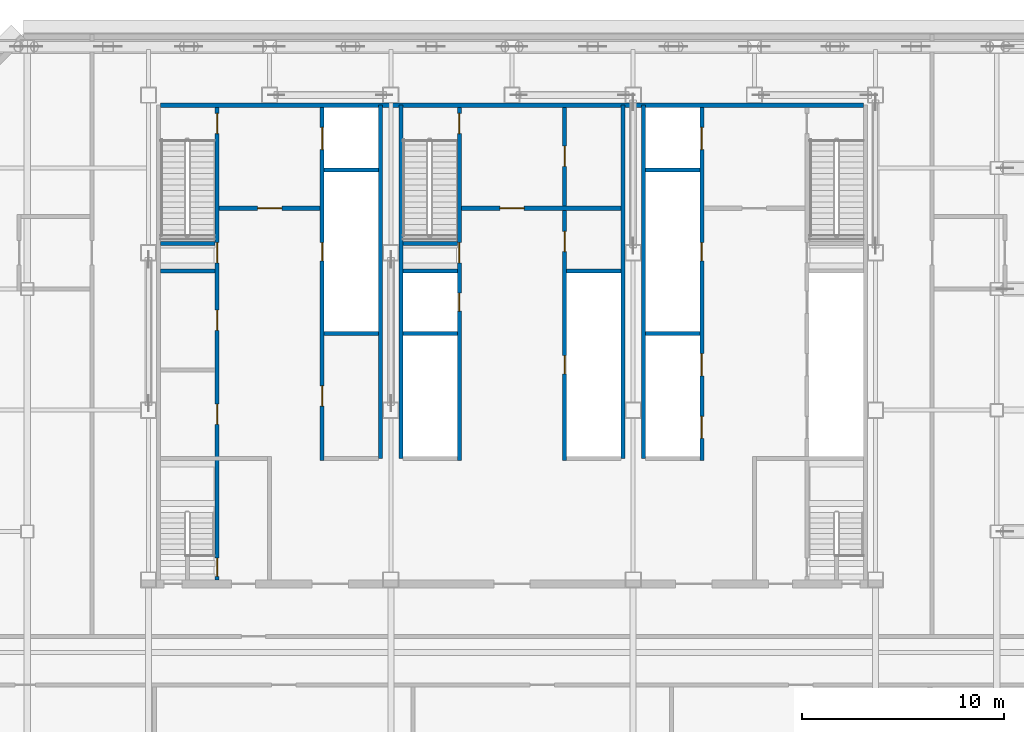
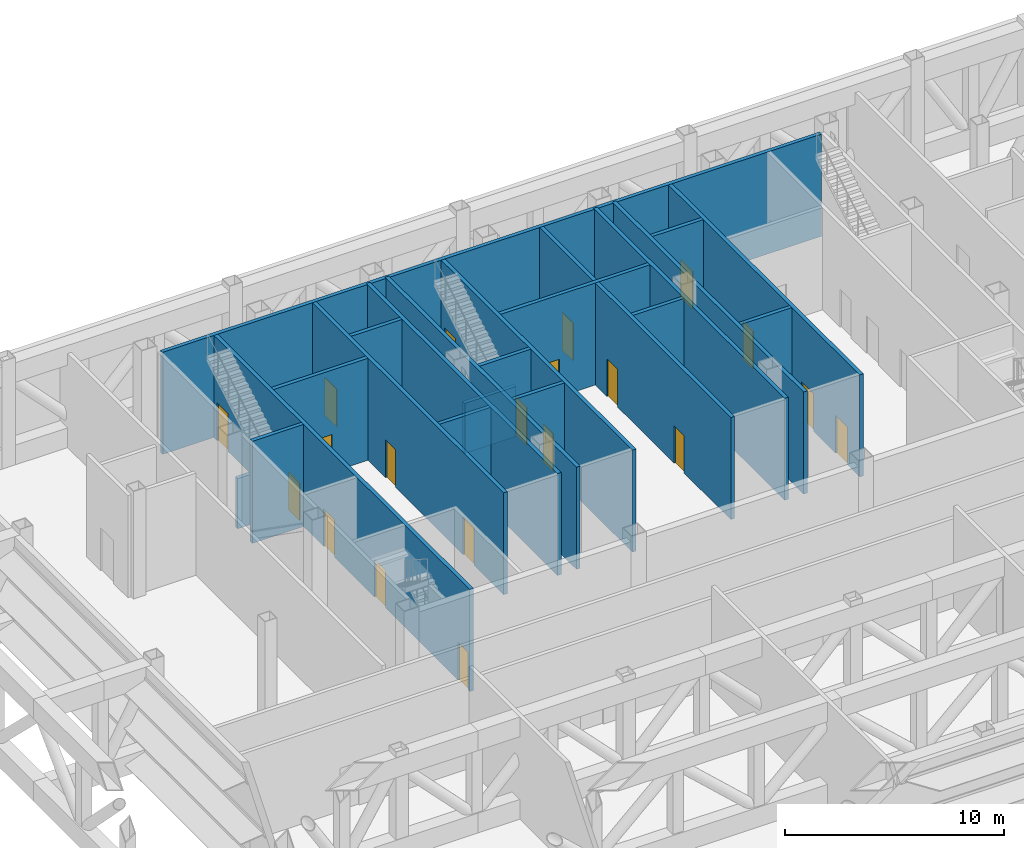
# One storey, part 7 of 17: 22 walls, 20 doors, 20 openings.
"""IFC4 building model written with IfcOpenShell, lengths in metres."""

from ifc_helpers import new_model, si_unit, direction, frame, frame_2d, origin, place, context, subcontext, project, spatial, rectangle, extrude, material, layer, layer_set, type_object, element, fill, save


model = new_model("IFC4")

# Units and contexts
model_context = context("Model", 3, precision=1e-05, world=origin(), true_north=direction((0.0, 1.0)))
body_context = subcontext(model_context, "Body", "Model", "MODEL_VIEW")
ifc_project = project(units=[si_unit("LENGTHUNIT", "METRE"), si_unit("AREAUNIT", "SQUARE_METRE"), si_unit("VOLUMEUNIT", "CUBIC_METRE"), si_unit("PLANEANGLEUNIT", "RADIAN"), si_unit("MASSUNIT", "GRAM", prefix="KILO")], contexts=[model_context])

# Site, building, storey
site_placement = place(None, origin())
site = spatial("IfcSite", under=ifc_project, at=site_placement, CompositionType="ELEMENT")
building_placement = place(site_placement, origin())
building = spatial("IfcBuilding", under=site, at=building_placement, Name="Sorahane Residences", CompositionType="ELEMENT")
storey_placement = place(building_placement, frame((0.0, 0.0, 186.0)))
storey = spatial("IfcBuildingStorey", under=building, at=storey_placement, Name="L43", CompositionType="ELEMENT", Elevation=186.0)

# Walls
ifc_material_1 = material(Name="Concrete C30", Category="concrete")
ifc_layer_1 = layer(ifc_material_1, 0.199951171875)
ifc_layer_set_1 = layer_set([ifc_layer_1], Name="Core face wall 200 EI 180")
wall_type_1 = type_object("IfcWallType", Name="Core face wall 200 EI 180", PredefinedType="SOLIDWALL", material=ifc_layer_set_1)
wall_1_placement = place(storey_placement, frame((6.60009765625, 45.10009765625, 0.0), z_axis=(0.0, 0.0, 1.0), x_axis=(1.0, 0.0, 0.0)))
element("IfcWall", 1, at=wall_1_placement, inside=storey, type_object=wall_type_1, Name="L43 core face wall", PredefinedType="SOLIDWALL", context=body_context, shape_type="SweptSolid", body=[
    extrude(rectangle(XDim=34.7998046875, YDim=0.199951171875, at=frame_2d((17.39990234375, 0.0))), origin(), (0.0, 0.0, 1.0), 5.699951171875),
])
for number, where, z_axis, x_axis, name in (
    (2, (17.5, 27.60009765625, 0.0), (0.0, 0.0, 1.0), (0.0, 1.0, 0.0), "L43 core face wall"),
    (3, (18.5, 27.60009765625, 0.0), (0.0, 0.0, 1.0), (0.0, 1.0, 0.0), "L43 core face wall"),
    (4, (29.5, 27.60009765625, 0.0), (0.0, 0.0, 1.0), (0.0, 1.0, 0.0), "L43 core face wall"),
    (5, (30.5, 27.60009765625, 0.0), (0.0, 0.0, 1.0), (0.0, 1.0, 0.0), "L43 core face wall"),
):
    element("IfcWall", number, at=place(storey_placement, frame(where, z_axis=z_axis, x_axis=x_axis)), inside=storey, type_object=wall_type_1, Name=name, PredefinedType="SOLIDWALL", context=body_context, shape_type="SweptSolid", body=[
        extrude(rectangle(XDim=17.5, YDim=0.199951171875, at=frame_2d((8.75, 0.0))), origin(), (0.0, 0.0, 1.0), 5.699951171875),
    ])

# Wall, opening, door
ifc_material_2 = material(Name="Concrete C30", Category="concrete")
ifc_layer_2 = layer(ifc_material_2, 0.199951171875)
ifc_layer_set_2 = layer_set([ifc_layer_2], Name="Front room wall 200 EI 120")
wall_type_2 = type_object("IfcWallType", Name="Front room wall 200 EI 120", PredefinedType="PARTITIONING", material=ifc_layer_set_2)
wall_2_placement = place(storey_placement, frame((21.5, 40.0, 0.0), z_axis=(0.0, 0.0, 1.0), x_axis=(1.0, 0.0, 0.0)))
wall_2 = element("IfcWall", 6, at=wall_2_placement, inside=storey, type_object=wall_type_2, Name="L43 front room wall", PredefinedType="PARTITIONING", context=body_context, shape_type="SweptSolid", body=[
    extrude(rectangle(XDim=7.89990234375, YDim=0.199951171875, at=frame_2d((3.949951171875, 0.0))), origin(), (0.0, 0.0, 1.0), 5.699951171875),
])
opening_1_placement = place(wall_2_placement, frame((1.89990234375, 0.0, 0.0)))
opening_1 = element("IfcOpeningElement", 7, at=opening_1_placement, cuts=wall_2, Name="Opening L43-C07", PredefinedType="OPENING", context=body_context, shape_type="SweptSolid", body=[
    extrude(rectangle(XDim=1.199951171875, YDim=2.10009765625, at=frame_2d((0.60009765625, 1.050048828125))), frame((0.0, 0.10986328125, 0.0), z_axis=(0.0, -1.0, 0.0), x_axis=(1.0, 0.0, 0.0)), (0.0, 0.0, 1.0), 0.219970703125),
])
ifc_material_3 = material(Name="Steel", Category="steel")
door_type_1 = type_object("IfcDoorType", Name="Front room door 1200x2100 FD120", OperationType="NOTDEFINED", PredefinedType="DOOR", material=ifc_material_3)
door_1_placement = place(opening_1_placement, frame((1.199951171875, 0.0, 0.0), z_axis=(0.0, 0.0, 1.0), x_axis=(-1.0, 0.0, 0.0)))
door_1 = element("IfcDoor", 8, at=door_1_placement, inside=storey, type_object=door_type_1, Name="Front room door Stair S3 vestibule L43", OperationType="DOUBLE_DOOR_SINGLE_SWING", OverallHeight=2.10009765625, OverallWidth=1.199951171875, PredefinedType="DOOR", context=body_context, shape_type="SweptSolid", body=[
    extrude(rectangle(XDim=1.199951171875, YDim=2.10009765625, at=frame_2d((0.60009765625, 1.050048828125))), frame((0.0, 0.02490234375, 0.0), z_axis=(0.0, -1.0, 0.0), x_axis=(1.0, 0.0, 0.0)), (0.0, 0.0, 1.0), 0.050048828125),
])
fill(opening_1, door_1)

wall_3_placement = place(storey_placement, frame((9.5, 40.0, 0.0), z_axis=(0.0, 0.0, 1.0), x_axis=(1.0, 0.0, 0.0)))
wall_3 = element("IfcWall", 9, at=wall_3_placement, inside=storey, type_object=wall_type_2, Name="L43 front room wall", PredefinedType="PARTITIONING", context=body_context, shape_type="SweptSolid", body=[
    extrude(rectangle(XDim=5.0, YDim=0.199951171875, at=frame_2d((2.5, 0.0))), origin(), (0.0, 0.0, 1.0), 5.699951171875),
])
opening_2_placement = place(wall_3_placement, frame((1.89990234375, 0.0, 0.0)))
opening_2 = element("IfcOpeningElement", 10, at=opening_2_placement, cuts=wall_3, Name="Opening L43-C06", PredefinedType="OPENING", context=body_context, shape_type="SweptSolid", body=[
    extrude(rectangle(XDim=1.199951171875, YDim=2.10009765625, at=frame_2d((0.60009765625, 1.050048828125))), frame((0.0, 0.10986328125, 0.0), z_axis=(0.0, -1.0, 0.0), x_axis=(1.0, 0.0, 0.0)), (0.0, 0.0, 1.0), 0.219970703125),
])
door_2_placement = place(opening_2_placement, frame((1.199951171875, 0.0, 0.0), z_axis=(0.0, 0.0, 1.0), x_axis=(-1.0, 0.0, 0.0)))
door_2 = element("IfcDoor", 11, at=door_2_placement, inside=storey, type_object=door_type_1, Name="Front room door Firefighting lobby FF1 front room L43", OperationType="DOUBLE_DOOR_SINGLE_SWING", OverallHeight=2.10009765625, OverallWidth=1.199951171875, PredefinedType="DOOR", context=body_context, shape_type="SweptSolid", body=[
    extrude(rectangle(XDim=1.199951171875, YDim=2.10009765625, at=frame_2d((0.60009765625, 1.050048828125))), frame((0.0, 0.02490234375, 0.0), z_axis=(0.0, -1.0, 0.0), x_axis=(1.0, 0.0, 0.0)), (0.0, 0.0, 1.0), 0.050048828125),
])
fill(opening_2, door_2)

# Wall, openings, doors
ifc_material_4 = material(Name="Concrete C30", Category="concrete")
ifc_layer_3 = layer(ifc_material_4, 0.199951171875)
ifc_layer_set_3 = layer_set([ifc_layer_3], Name="Lift shaft wall 200 EI 120")
wall_type_3 = type_object("IfcWallType", Name="Lift shaft wall 200 EI 120", PredefinedType="SOLIDWALL", material=ifc_layer_set_3)
wall_4_placement = place(storey_placement, frame((14.60009765625, 27.5, 0.0), z_axis=(0.0, 0.0, 1.0), x_axis=(0.0, 1.0, 0.0)))
wall_4 = element("IfcWall", 12, at=wall_4_placement, inside=storey, type_object=wall_type_3, Name="L43 lift shaft wall", PredefinedType="SOLIDWALL", context=body_context, shape_type="SweptSolid", body=[
    extrude(rectangle(XDim=17.5, YDim=0.199951171875, at=frame_2d((8.75, 0.0))), origin(), (0.0, 0.0, 1.0), 5.699951171875),
])
opening_3_placement = place(wall_4_placement, frame((15.39990234375, 0.0, 0.0)))
opening_3 = element("IfcOpeningElement", 13, at=opening_3_placement, cuts=wall_4, Name="Opening L43-C15", PredefinedType="OPENING", context=body_context, shape_type="SweptSolid", body=[
    extrude(rectangle(XDim=1.10009765625, YDim=2.10009765625, at=frame_2d((0.550048828125, 1.050048828125))), frame((0.0, 0.10986328125, 0.0), z_axis=(0.0, -1.0, 0.0), x_axis=(1.0, 0.0, 0.0)), (0.0, 0.0, 1.0), 0.219970703125),
])
opening_4_placement = place(wall_4_placement, frame((2.699951171875, 0.0, 0.0)))
opening_4 = element("IfcOpeningElement", 14, at=opening_4_placement, cuts=wall_4, Name="Opening L43-C16", PredefinedType="OPENING", context=body_context, shape_type="SweptSolid", body=[
    extrude(rectangle(XDim=1.0, YDim=2.10009765625, at=frame_2d((0.5, 1.050048828125))), frame((0.0, 0.10986328125, 0.0), z_axis=(0.0, -1.0, 0.0), x_axis=(1.0, 0.0, 0.0)), (0.0, 0.0, 1.0), 0.219970703125),
])
opening_5_placement = place(wall_4_placement, frame((9.89990234375, 0.0, 0.0)))
opening_5 = element("IfcOpeningElement", 15, at=opening_5_placement, cuts=wall_4, Name="Opening L43-C29", PredefinedType="OPENING", context=body_context, shape_type="SweptSolid", body=[
    extrude(rectangle(XDim=0.89990234375, YDim=2.10009765625, at=frame_2d((0.449951171875, 1.050048828125))), frame((0.0, 0.10986328125, 0.0), z_axis=(0.0, -1.0, 0.0), x_axis=(1.0, 0.0, 0.0)), (0.0, 0.0, 1.0), 0.219970703125),
])
ifc_material_5 = material(Name="Aluminium and stainless steel", Category="steel")
door_type_2 = type_object("IfcDoorType", Name="Lift landing door 1100x2100 E 60", OperationType="NOTDEFINED", PredefinedType="DOOR", material=ifc_material_5)
door_3_placement = place(opening_3_placement, origin())
door_3 = element("IfcDoor", 16, at=door_3_placement, inside=storey, type_object=door_type_2, Name="Lift landing door FF1 L43", OperationType="DOUBLE_DOOR_SLIDING", OverallHeight=2.10009765625, OverallWidth=1.10009765625, PredefinedType="DOOR", context=body_context, shape_type="SweptSolid", body=[
    extrude(rectangle(XDim=1.10009765625, YDim=2.10009765625, at=frame_2d((0.550048828125, 1.050048828125))), frame((0.0, 0.02490234375, 0.0), z_axis=(0.0, -1.0, 0.0), x_axis=(1.0, 0.0, 0.0)), (0.0, 0.0, 1.0), 0.050048828125),
])
fill(opening_3, door_3)
ifc_material_6 = material(Name="Steel", Category="steel")
door_type_3 = type_object("IfcDoorType", Name="Riser door 900x2100 FD120", OperationType="NOTDEFINED", PredefinedType="DOOR", material=ifc_material_6)
door_4_placement = place(opening_5_placement, origin())
door_4 = element("IfcDoor", 17, at=door_4_placement, inside=storey, type_object=door_type_3, Name="Riser door R1 L43", OperationType="SINGLE_SWING_LEFT", OverallHeight=2.10009765625, OverallWidth=0.89990234375, PredefinedType="DOOR", context=body_context, shape_type="SweptSolid", body=[
    extrude(rectangle(XDim=0.89990234375, YDim=2.10009765625, at=frame_2d((0.449951171875, 1.050048828125))), frame((0.0, 0.02490234375, 0.0), z_axis=(0.0, -1.0, 0.0), x_axis=(1.0, 0.0, 0.0)), (0.0, 0.0, 1.0), 0.050048828125),
])
fill(opening_5, door_4)
ifc_material_7 = material(Name="Steel", Category="steel")
door_type_4 = type_object("IfcDoorType", Name="Service room door 1000x2100 FD60", OperationType="NOTDEFINED", PredefinedType="DOOR", material=ifc_material_7)
door_5_placement = place(opening_4_placement, frame((1.0, 0.0, 0.0), z_axis=(0.0, 0.0, 1.0), x_axis=(-1.0, 0.0, 0.0)))
door_5 = element("IfcDoor", 18, at=door_5_placement, inside=storey, type_object=door_type_4, Name="Service room door Wine room L43", OperationType="SINGLE_SWING_RIGHT", OverallHeight=2.10009765625, OverallWidth=1.0, PredefinedType="DOOR", context=body_context, shape_type="SweptSolid", body=[
    extrude(rectangle(XDim=1.0, YDim=2.10009765625, at=frame_2d((0.5, 1.050048828125))), frame((0.0, 0.02490234375, 0.0), z_axis=(0.0, -1.0, 0.0), x_axis=(1.0, 0.0, 0.0)), (0.0, 0.0, 1.0), 0.050048828125),
])
fill(opening_4, door_5)

wall_5_placement = place(storey_placement, frame((33.39990234375, 27.5, 0.0), z_axis=(0.0, 0.0, 1.0), x_axis=(0.0, 1.0, 0.0)))
wall_5 = element("IfcWall", 19, at=wall_5_placement, inside=storey, type_object=wall_type_3, Name="L43 lift shaft wall", PredefinedType="SOLIDWALL", context=body_context, shape_type="SweptSolid", body=[
    extrude(rectangle(XDim=17.5, YDim=0.199951171875, at=frame_2d((8.75, 0.0))), origin(), (0.0, 0.0, 1.0), 5.699951171875),
])
opening_6_placement = place(wall_5_placement, frame((1.10009765625, 0.0, 0.0)))
opening_6 = element("IfcOpeningElement", 20, at=opening_6_placement, cuts=wall_5, Name="Opening L43-C12", PredefinedType="OPENING", context=body_context, shape_type="SweptSolid", body=[
    extrude(rectangle(XDim=1.10009765625, YDim=2.10009765625, at=frame_2d((0.550048828125, 1.050048828125))), frame((0.0, 0.10986328125, 0.0), z_axis=(0.0, -1.0, 0.0), x_axis=(1.0, 0.0, 0.0)), (0.0, 0.0, 1.0), 0.219970703125),
])
opening_7_placement = place(wall_5_placement, frame((4.199951171875, 0.0, 0.0)))
opening_7 = element("IfcOpeningElement", 21, at=opening_7_placement, cuts=wall_5, Name="Opening L43-C13", PredefinedType="OPENING", context=body_context, shape_type="SweptSolid", body=[
    extrude(rectangle(XDim=1.10009765625, YDim=2.10009765625, at=frame_2d((0.550048828125, 1.050048828125))), frame((0.0, 0.10986328125, 0.0), z_axis=(0.0, -1.0, 0.0), x_axis=(1.0, 0.0, 0.0)), (0.0, 0.0, 1.0), 0.219970703125),
])
opening_8_placement = place(wall_5_placement, frame((15.39990234375, 0.0, 0.0)))
opening_8 = element("IfcOpeningElement", 22, at=opening_8_placement, cuts=wall_5, Name="Opening L43-C14", PredefinedType="OPENING", context=body_context, shape_type="SweptSolid", body=[
    extrude(rectangle(XDim=1.10009765625, YDim=2.10009765625, at=frame_2d((0.550048828125, 1.050048828125))), frame((0.0, 0.10986328125, 0.0), z_axis=(0.0, -1.0, 0.0), x_axis=(1.0, 0.0, 0.0)), (0.0, 0.0, 1.0), 0.219970703125),
])
opening_9_placement = place(wall_5_placement, frame((9.89990234375, 0.0, 0.0)))
opening_9 = element("IfcOpeningElement", 23, at=opening_9_placement, cuts=wall_5, Name="Opening L43-C30", PredefinedType="OPENING", context=body_context, shape_type="SweptSolid", body=[
    extrude(rectangle(XDim=0.89990234375, YDim=2.10009765625, at=frame_2d((0.449951171875, 1.050048828125))), frame((0.0, 0.10986328125, 0.0), z_axis=(0.0, -1.0, 0.0), x_axis=(1.0, 0.0, 0.0)), (0.0, 0.0, 1.0), 0.219970703125),
])
door_6_placement = place(opening_6_placement, origin())
door_6 = element("IfcDoor", 24, at=door_6_placement, inside=storey, type_object=door_type_2, Name="Lift landing door HR4 L43", OperationType="DOUBLE_DOOR_SLIDING", OverallHeight=2.10009765625, OverallWidth=1.10009765625, PredefinedType="DOOR", context=body_context, shape_type="SweptSolid", body=[
    extrude(rectangle(XDim=1.10009765625, YDim=2.10009765625, at=frame_2d((0.550048828125, 1.050048828125))), frame((0.0, 0.02490234375, 0.0), z_axis=(0.0, -1.0, 0.0), x_axis=(1.0, 0.0, 0.0)), (0.0, 0.0, 1.0), 0.050048828125),
])
fill(opening_6, door_6)
door_7_placement = place(opening_7_placement, origin())
door_7 = element("IfcDoor", 25, at=door_7_placement, inside=storey, type_object=door_type_2, Name="Lift landing door HR5 L43", OperationType="DOUBLE_DOOR_SLIDING", OverallHeight=2.10009765625, OverallWidth=1.10009765625, PredefinedType="DOOR", context=body_context, shape_type="SweptSolid", body=[
    extrude(rectangle(XDim=1.10009765625, YDim=2.10009765625, at=frame_2d((0.550048828125, 1.050048828125))), frame((0.0, 0.02490234375, 0.0), z_axis=(0.0, -1.0, 0.0), x_axis=(1.0, 0.0, 0.0)), (0.0, 0.0, 1.0), 0.050048828125),
])
fill(opening_7, door_7)
door_8_placement = place(opening_8_placement, origin())
door_8 = element("IfcDoor", 26, at=door_8_placement, inside=storey, type_object=door_type_2, Name="Lift landing door FF2 L43", OperationType="DOUBLE_DOOR_SLIDING", OverallHeight=2.10009765625, OverallWidth=1.10009765625, PredefinedType="DOOR", context=body_context, shape_type="SweptSolid", body=[
    extrude(rectangle(XDim=1.10009765625, YDim=2.10009765625, at=frame_2d((0.550048828125, 1.050048828125))), frame((0.0, 0.02490234375, 0.0), z_axis=(0.0, -1.0, 0.0), x_axis=(1.0, 0.0, 0.0)), (0.0, 0.0, 1.0), 0.050048828125),
])
fill(opening_8, door_8)
door_9_placement = place(opening_9_placement, frame((0.89990234375, 0.0, 0.0), z_axis=(0.0, 0.0, 1.0), x_axis=(-1.0, 0.0, 0.0)))
door_9 = element("IfcDoor", 27, at=door_9_placement, inside=storey, type_object=door_type_3, Name="Riser door R2 L43", OperationType="SINGLE_SWING_LEFT", OverallHeight=2.10009765625, OverallWidth=0.89990234375, PredefinedType="DOOR", context=body_context, shape_type="SweptSolid", body=[
    extrude(rectangle(XDim=0.89990234375, YDim=2.10009765625, at=frame_2d((0.449951171875, 1.050048828125))), frame((0.0, 0.02490234375, 0.0), z_axis=(0.0, -1.0, 0.0), x_axis=(1.0, 0.0, 0.0)), (0.0, 0.0, 1.0), 0.050048828125),
])
fill(opening_9, door_9)

# Walls
for number, where, z_axis, x_axis, name in (
    (28, (18.60009765625, 33.800048828125, 0.0), (0.0, 0.0, 1.0), (1.0, 0.0, 0.0), "L43 lift shaft wall"),
    (29, (30.60009765625, 33.800048828125, 0.0), (0.0, 0.0, 1.0), (1.0, 0.0, 0.0), "L43 lift shaft wall"),
    (30, (14.699951171875, 41.89990234375, 0.0), (0.0, 0.0, 1.0), (1.0, 0.0, 0.0), "L43 lift shaft wall"),
    (31, (30.60009765625, 41.89990234375, 0.0), (0.0, 0.0, 1.0), (1.0, 0.0, 0.0), "L43 lift shaft wall"),
):
    element("IfcWall", number, at=place(storey_placement, frame(where, z_axis=z_axis, x_axis=x_axis)), inside=storey, type_object=wall_type_3, Name=name, PredefinedType="SOLIDWALL", context=body_context, shape_type="SweptSolid", body=[
        extrude(rectangle(XDim=2.699951171875, YDim=0.199951171875, at=frame_2d((1.35009765625, 0.0))), origin(), (0.0, 0.0, 1.0), 5.699951171875),
    ])

# Wall, openings, doors
ifc_material_8 = material(Name="Concrete C30", Category="concrete")
ifc_layer_4 = layer(ifc_material_8, 0.199951171875)
ifc_layer_set_4 = layer_set([ifc_layer_4], Name="Riser shaft wall 200 EI 120")
wall_type_4 = type_object("IfcWallType", Name="Riser shaft wall 200 EI 120", PredefinedType="SOLIDWALL", material=ifc_layer_set_4)
wall_6_placement = place(storey_placement, frame((26.60009765625, 27.5, 0.0), z_axis=(0.0, 0.0, 1.0), x_axis=(0.0, 1.0, 0.0)))
wall_6 = element("IfcWall", 32, at=wall_6_placement, inside=storey, type_object=wall_type_4, Name="L43 riser wall", PredefinedType="SOLIDWALL", context=body_context, shape_type="SweptSolid", body=[
    extrude(rectangle(XDim=17.5, YDim=0.199951171875, at=frame_2d((8.75, 0.0))), origin(), (0.0, 0.0, 1.0), 5.699951171875),
])
opening_10_placement = place(wall_6_placement, frame((4.300048828125, 0.0, 0.0)))
opening_10 = element("IfcOpeningElement", 33, at=opening_10_placement, cuts=wall_6, Name="Opening L43-C32", PredefinedType="OPENING", context=body_context, shape_type="SweptSolid", body=[
    extrude(rectangle(XDim=0.89990234375, YDim=2.10009765625, at=frame_2d((0.449951171875, 1.050048828125))), frame((0.0, 0.10986328125, 0.0), z_axis=(0.0, -1.0, 0.0), x_axis=(1.0, 0.0, 0.0)), (0.0, 0.0, 1.0), 0.219970703125),
])
opening_11_placement = place(wall_6_placement, frame((10.35009765625, 0.0, 0.0)))
opening_11 = element("IfcOpeningElement", 34, at=opening_11_placement, cuts=wall_6, Name="Opening L43-C33", PredefinedType="OPENING", context=body_context, shape_type="SweptSolid", body=[
    extrude(rectangle(XDim=1.0, YDim=2.10009765625, at=frame_2d((0.5, 1.050048828125))), frame((0.0, 0.10986328125, 0.0), z_axis=(0.0, -1.0, 0.0), x_axis=(1.0, 0.0, 0.0)), (0.0, 0.0, 1.0), 0.219970703125),
])
opening_12_placement = place(wall_6_placement, frame((14.574951171875, 0.0, 0.0)))
opening_12 = element("IfcOpeningElement", 35, at=opening_12_placement, cuts=wall_6, Name="Opening L43-C34", PredefinedType="OPENING", context=body_context, shape_type="SweptSolid", body=[
    extrude(rectangle(XDim=1.0, YDim=2.10009765625, at=frame_2d((0.5, 1.050048828125))), frame((0.0, 0.10986328125, 0.0), z_axis=(0.0, -1.0, 0.0), x_axis=(1.0, 0.0, 0.0)), (0.0, 0.0, 1.0), 0.219970703125),
])
door_10_placement = place(opening_10_placement, origin())
door_10 = element("IfcDoor", 36, at=door_10_placement, inside=storey, type_object=door_type_3, Name="Riser door R4 L43", OperationType="SINGLE_SWING_LEFT", OverallHeight=2.10009765625, OverallWidth=0.89990234375, PredefinedType="DOOR", context=body_context, shape_type="SweptSolid", body=[
    extrude(rectangle(XDim=0.89990234375, YDim=2.10009765625, at=frame_2d((0.449951171875, 1.050048828125))), frame((0.0, 0.02490234375, 0.0), z_axis=(0.0, -1.0, 0.0), x_axis=(1.0, 0.0, 0.0)), (0.0, 0.0, 1.0), 0.050048828125),
])
fill(opening_10, door_10)
door_11_placement = place(opening_11_placement, frame((1.0, 0.0, 0.0), z_axis=(0.0, 0.0, 1.0), x_axis=(-1.0, 0.0, 0.0)))
door_11 = element("IfcDoor", 37, at=door_11_placement, inside=storey, type_object=door_type_4, Name="Service room door Linen room L43", OperationType="SINGLE_SWING_LEFT", OverallHeight=2.10009765625, OverallWidth=1.0, PredefinedType="DOOR", context=body_context, shape_type="SweptSolid", body=[
    extrude(rectangle(XDim=1.0, YDim=2.10009765625, at=frame_2d((0.5, 1.050048828125))), frame((0.0, 0.02490234375, 0.0), z_axis=(0.0, -1.0, 0.0), x_axis=(1.0, 0.0, 0.0)), (0.0, 0.0, 1.0), 0.050048828125),
])
fill(opening_11, door_11)
door_12_placement = place(opening_12_placement, frame((1.0, 0.0, 0.0), z_axis=(0.0, 0.0, 1.0), x_axis=(-1.0, 0.0, 0.0)))
door_12 = element("IfcDoor", 38, at=door_12_placement, inside=storey, type_object=door_type_4, Name="Service room door Cleaners' store L43", OperationType="SINGLE_SWING_LEFT", OverallHeight=2.10009765625, OverallWidth=1.0, PredefinedType="DOOR", context=body_context, shape_type="SweptSolid", body=[
    extrude(rectangle(XDim=1.0, YDim=2.10009765625, at=frame_2d((0.5, 1.050048828125))), frame((0.0, 0.02490234375, 0.0), z_axis=(0.0, -1.0, 0.0), x_axis=(1.0, 0.0, 0.0)), (0.0, 0.0, 1.0), 0.050048828125),
])
fill(opening_12, door_12)

# Walls
for number, where, z_axis, x_axis, name in (
    (39, (14.699951171875, 33.800048828125, 0.0), (0.0, 0.0, 1.0), (1.0, 0.0, 0.0), "L43 riser wall"),
    (40, (26.699951171875, 36.89990234375, 0.0), (0.0, 0.0, 1.0), (1.0, 0.0, 0.0), "L43 riser wall"),
):
    element("IfcWall", number, at=place(storey_placement, frame(where, z_axis=z_axis, x_axis=x_axis)), inside=storey, type_object=wall_type_4, Name=name, PredefinedType="SOLIDWALL", context=body_context, shape_type="SweptSolid", body=[
        extrude(rectangle(XDim=2.699951171875, YDim=0.199951171875, at=frame_2d((1.35009765625, 0.0))), origin(), (0.0, 0.0, 1.0), 5.699951171875),
    ])

# Wall, openings, doors
ifc_material_9 = material(Name="Concrete C30", Category="concrete")
ifc_layer_5 = layer(ifc_material_9, 0.199951171875)
ifc_layer_set_5 = layer_set([ifc_layer_5], Name="Stair enclosure wall 200 EI 120")
wall_type_5 = type_object("IfcWallType", Name="Stair enclosure wall 200 EI 120", PredefinedType="SOLIDWALL", material=ifc_layer_set_5)
wall_7_placement = place(storey_placement, frame((21.39990234375, 27.5, 0.0), z_axis=(0.0, 0.0, 1.0), x_axis=(0.0, 1.0, 0.0)))
wall_7 = element("IfcWall", 41, at=wall_7_placement, inside=storey, type_object=wall_type_5, Name="L43 stair enclosure wall", PredefinedType="SOLIDWALL", context=body_context, shape_type="SweptSolid", body=[
    extrude(rectangle(XDim=17.5, YDim=0.199951171875, at=frame_2d((8.75, 0.0))), origin(), (0.0, 0.0, 1.0), 5.699951171875),
])
opening_13_placement = place(wall_7_placement, frame((9.800048828125, 0.0, 0.0)))
opening_13 = element("IfcOpeningElement", 42, at=opening_13_placement, cuts=wall_7, Name="Opening L43-C23", PredefinedType="OPENING", context=body_context, shape_type="SweptSolid", body=[
    extrude(rectangle(XDim=1.0, YDim=2.10009765625, at=frame_2d((0.5, 1.050048828125))), frame((0.0, 0.10986328125, 0.0), z_axis=(0.0, -1.0, 0.0), x_axis=(1.0, 0.0, 0.0)), (0.0, 0.0, 1.0), 0.219970703125),
])
opening_14_placement = place(wall_7_placement, frame((16.199951171875, 0.0, 0.0)))
opening_14 = element("IfcOpeningElement", 43, at=opening_14_placement, cuts=wall_7, Name="Opening L43-C24", PredefinedType="OPENING", context=body_context, shape_type="SweptSolid", body=[
    extrude(rectangle(XDim=1.0, YDim=2.10009765625, at=frame_2d((0.5, 1.050048828125))), frame((0.0, 0.10986328125, 0.0), z_axis=(0.0, -1.0, 0.0), x_axis=(1.0, 0.0, 0.0)), (0.0, 0.0, 1.0), 0.219970703125),
])
opening_15_placement = place(wall_7_placement, frame((7.39990234375, 0.0, 0.0)))
opening_15 = element("IfcOpeningElement", 44, at=opening_15_placement, cuts=wall_7, Name="Opening L43-C31", PredefinedType="OPENING", context=body_context, shape_type="SweptSolid", body=[
    extrude(rectangle(XDim=0.89990234375, YDim=2.10009765625, at=frame_2d((0.449951171875, 1.050048828125))), frame((0.0, 0.10986328125, 0.0), z_axis=(0.0, -1.0, 0.0), x_axis=(1.0, 0.0, 0.0)), (0.0, 0.0, 1.0), 0.219970703125),
])
ifc_material_10 = material(Name="Steel", Category="steel")
door_type_5 = type_object("IfcDoorType", Name="Refuge stair door 1000x2100 FD120", OperationType="NOTDEFINED", PredefinedType="DOOR", material=ifc_material_10)
door_13_placement = place(opening_13_placement, origin())
door_13 = element("IfcDoor", 45, at=door_13_placement, inside=storey, type_object=door_type_5, Name="Refuge stair door S3 L43", OperationType="SINGLE_SWING_LEFT", OverallHeight=2.10009765625, OverallWidth=1.0, PredefinedType="DOOR", context=body_context, shape_type="SweptSolid", body=[
    extrude(rectangle(XDim=1.0, YDim=2.10009765625, at=frame_2d((0.5, 1.050048828125))), frame((0.0, 0.02490234375, 0.0), z_axis=(0.0, -1.0, 0.0), x_axis=(1.0, 0.0, 0.0)), (0.0, 0.0, 1.0), 0.050048828125),
])
fill(opening_13, door_13)
door_14_placement = place(opening_14_placement, origin())
door_14 = element("IfcDoor", 46, at=door_14_placement, inside=storey, type_object=door_type_5, Name="Refuge stair door S3 L43", OperationType="SINGLE_SWING_LEFT", OverallHeight=2.10009765625, OverallWidth=1.0, PredefinedType="DOOR", context=body_context, shape_type="SweptSolid", body=[
    extrude(rectangle(XDim=1.0, YDim=2.10009765625, at=frame_2d((0.5, 1.050048828125))), frame((0.0, 0.02490234375, 0.0), z_axis=(0.0, -1.0, 0.0), x_axis=(1.0, 0.0, 0.0)), (0.0, 0.0, 1.0), 0.050048828125),
])
fill(opening_14, door_14)
door_15_placement = place(opening_15_placement, frame((0.89990234375, 0.0, 0.0), z_axis=(0.0, 0.0, 1.0), x_axis=(-1.0, 0.0, 0.0)))
door_15 = element("IfcDoor", 47, at=door_15_placement, inside=storey, type_object=door_type_3, Name="Riser door R3 L43", OperationType="SINGLE_SWING_LEFT", OverallHeight=2.10009765625, OverallWidth=0.89990234375, PredefinedType="DOOR", context=body_context, shape_type="SweptSolid", body=[
    extrude(rectangle(XDim=0.89990234375, YDim=2.10009765625, at=frame_2d((0.449951171875, 1.050048828125))), frame((0.0, 0.02490234375, 0.0), z_axis=(0.0, -1.0, 0.0), x_axis=(1.0, 0.0, 0.0)), (0.0, 0.0, 1.0), 0.050048828125),
])
fill(opening_15, door_15)

wall_8_placement = place(storey_placement, frame((9.39990234375, 21.60009765625, 0.0), z_axis=(0.0, 0.0, 1.0), x_axis=(0.0, 1.0, 0.0)))
wall_8 = element("IfcWall", 48, at=wall_8_placement, inside=storey, type_object=wall_type_5, Name="L43 stair enclosure wall", PredefinedType="SOLIDWALL", context=body_context, shape_type="SweptSolid", body=[
    extrude(rectangle(XDim=23.39990234375, YDim=0.199951171875, at=frame_2d((11.699951171875, 0.0))), origin(), (0.0, 0.0, 1.0), 5.699951171875),
])
opening_16_placement = place(wall_8_placement, frame((7.699951171875, 0.0, 0.0)))
opening_16 = element("IfcOpeningElement", 49, at=opening_16_placement, cuts=wall_8, Name="Opening L43-C17", PredefinedType="OPENING", context=body_context, shape_type="SweptSolid", body=[
    extrude(rectangle(XDim=1.0, YDim=2.10009765625, at=frame_2d((0.5, 1.050048828125))), frame((0.0, 0.10986328125, 0.0), z_axis=(0.0, -1.0, 0.0), x_axis=(1.0, 0.0, 0.0)), (0.0, 0.0, 1.0), 0.219970703125),
])
opening_17_placement = place(wall_8_placement, frame((12.35009765625, 0.0, 0.0)))
opening_17 = element("IfcOpeningElement", 50, at=opening_17_placement, cuts=wall_8, Name="Opening L43-C18", PredefinedType="OPENING", context=body_context, shape_type="SweptSolid", body=[
    extrude(rectangle(XDim=1.0, YDim=2.10009765625, at=frame_2d((0.5, 1.050048828125))), frame((0.0, 0.10986328125, 0.0), z_axis=(0.0, -1.0, 0.0), x_axis=(1.0, 0.0, 0.0)), (0.0, 0.0, 1.0), 0.219970703125),
])
opening_18_placement = place(wall_8_placement, frame((15.699951171875, 0.0, 0.0)))
opening_18 = element("IfcOpeningElement", 51, at=opening_18_placement, cuts=wall_8, Name="Opening L43-C19", PredefinedType="OPENING", context=body_context, shape_type="SweptSolid", body=[
    extrude(rectangle(XDim=1.0, YDim=2.10009765625, at=frame_2d((0.5, 1.050048828125))), frame((0.0, 0.10986328125, 0.0), z_axis=(0.0, -1.0, 0.0), x_axis=(1.0, 0.0, 0.0)), (0.0, 0.0, 1.0), 0.219970703125),
])
opening_19_placement = place(wall_8_placement, frame((22.10009765625, 0.0, 0.0)))
opening_19 = element("IfcOpeningElement", 52, at=opening_19_placement, cuts=wall_8, Name="Opening L43-C20", PredefinedType="OPENING", context=body_context, shape_type="SweptSolid", body=[
    extrude(rectangle(XDim=1.0, YDim=2.10009765625, at=frame_2d((0.5, 1.050048828125))), frame((0.0, 0.10986328125, 0.0), z_axis=(0.0, -1.0, 0.0), x_axis=(1.0, 0.0, 0.0)), (0.0, 0.0, 1.0), 0.219970703125),
])
opening_20_placement = place(wall_8_placement, frame((0.175048828125, 0.0, 0.0)))
opening_20 = element("IfcOpeningElement", 53, at=opening_20_placement, cuts=wall_8, Name="Opening L43-C26", PredefinedType="OPENING", context=body_context, shape_type="SweptSolid", body=[
    extrude(rectangle(XDim=0.89990234375, YDim=2.10009765625, at=frame_2d((0.449951171875, 1.050048828125))), frame((0.0, 0.10986328125, 0.0), z_axis=(0.0, -1.0, 0.0), x_axis=(1.0, 0.0, 0.0)), (0.0, 0.0, 1.0), 0.219970703125),
])
door_16_placement = place(opening_18_placement, origin())
door_16 = element("IfcDoor", 54, at=door_16_placement, inside=storey, type_object=door_type_5, Name="Refuge stair door S1 L43", OperationType="SINGLE_SWING_LEFT", OverallHeight=2.10009765625, OverallWidth=1.0, PredefinedType="DOOR", context=body_context, shape_type="SweptSolid", body=[
    extrude(rectangle(XDim=1.0, YDim=2.10009765625, at=frame_2d((0.5, 1.050048828125))), frame((0.0, 0.02490234375, 0.0), z_axis=(0.0, -1.0, 0.0), x_axis=(1.0, 0.0, 0.0)), (0.0, 0.0, 1.0), 0.050048828125),
])
fill(opening_18, door_16)
door_17_placement = place(opening_19_placement, origin())
door_17 = element("IfcDoor", 55, at=door_17_placement, inside=storey, type_object=door_type_5, Name="Refuge stair door S1 L43", OperationType="SINGLE_SWING_LEFT", OverallHeight=2.10009765625, OverallWidth=1.0, PredefinedType="DOOR", context=body_context, shape_type="SweptSolid", body=[
    extrude(rectangle(XDim=1.0, YDim=2.10009765625, at=frame_2d((0.5, 1.050048828125))), frame((0.0, 0.02490234375, 0.0), z_axis=(0.0, -1.0, 0.0), x_axis=(1.0, 0.0, 0.0)), (0.0, 0.0, 1.0), 0.050048828125),
])
fill(opening_19, door_17)
ifc_material_11 = material(Name="Steel", Category="steel")
door_type_6 = type_object("IfcDoorType", Name="Refuge stair door 900x2100 FD120", OperationType="NOTDEFINED", PredefinedType="DOOR", material=ifc_material_11)
door_18_placement = place(opening_20_placement, origin())
door_18 = element("IfcDoor", 56, at=door_18_placement, inside=storey, type_object=door_type_6, Name="Refuge stair door S4 L43", OperationType="SINGLE_SWING_LEFT", OverallHeight=2.10009765625, OverallWidth=0.89990234375, PredefinedType="DOOR", context=body_context, shape_type="SweptSolid", body=[
    extrude(rectangle(XDim=0.89990234375, YDim=2.10009765625, at=frame_2d((0.449951171875, 1.050048828125))), frame((0.0, 0.02490234375, 0.0), z_axis=(0.0, -1.0, 0.0), x_axis=(1.0, 0.0, 0.0)), (0.0, 0.0, 1.0), 0.050048828125),
])
fill(opening_20, door_18)
door_19_placement = place(opening_16_placement, origin())
door_19 = element("IfcDoor", 57, at=door_19_placement, inside=storey, type_object=door_type_4, Name="Service room door Games room L43", OperationType="SINGLE_SWING_LEFT", OverallHeight=2.10009765625, OverallWidth=1.0, PredefinedType="DOOR", context=body_context, shape_type="SweptSolid", body=[
    extrude(rectangle(XDim=1.0, YDim=2.10009765625, at=frame_2d((0.5, 1.050048828125))), frame((0.0, 0.02490234375, 0.0), z_axis=(0.0, -1.0, 0.0), x_axis=(1.0, 0.0, 0.0)), (0.0, 0.0, 1.0), 0.050048828125),
])
fill(opening_16, door_19)
door_20_placement = place(opening_17_placement, origin())
door_20 = element("IfcDoor", 58, at=door_20_placement, inside=storey, type_object=door_type_4, Name="Service room door Wine room L43", OperationType="SINGLE_SWING_LEFT", OverallHeight=2.10009765625, OverallWidth=1.0, PredefinedType="DOOR", context=body_context, shape_type="SweptSolid", body=[
    extrude(rectangle(XDim=1.0, YDim=2.10009765625, at=frame_2d((0.5, 1.050048828125))), frame((0.0, 0.02490234375, 0.0), z_axis=(0.0, -1.0, 0.0), x_axis=(1.0, 0.0, 0.0)), (0.0, 0.0, 1.0), 0.050048828125),
])
fill(opening_17, door_20)

# Walls
for number, where, z_axis, x_axis, name in (
    (59, (18.60009765625, 36.89990234375, 0.0), (0.0, 0.0, 1.0), (1.0, 0.0, 0.0), "L43 stair enclosure wall"),
    (60, (6.60009765625, 36.89990234375, 0.0), (0.0, 0.0, 1.0), (1.0, 0.0, 0.0), "L43 stair enclosure wall"),
):
    element("IfcWall", number, at=place(storey_placement, frame(where, z_axis=z_axis, x_axis=x_axis)), inside=storey, type_object=wall_type_5, Name=name, PredefinedType="SOLIDWALL", context=body_context, shape_type="SweptSolid", body=[
        extrude(rectangle(XDim=2.699951171875, YDim=0.199951171875, at=frame_2d((1.35009765625, 0.0))), origin(), (0.0, 0.0, 1.0), 5.699951171875),
    ])
for number, where, z_axis, x_axis, name in (
    (61, (18.60009765625, 38.25, 0.0), (0.0, 0.0, 1.0), (1.0, 0.0, 0.0), "L43 stair enclosure wall"),
    (62, (6.60009765625, 38.25, 0.0), (0.0, 0.0, 1.0), (1.0, 0.0, 0.0), "L43 stair enclosure wall"),
):
    element("IfcWall", number, at=place(storey_placement, frame(where, z_axis=z_axis, x_axis=x_axis)), inside=storey, type_object=wall_type_5, Name=name, PredefinedType="SOLIDWALL", context=body_context, shape_type="SweptSolid", body=[
        extrude(rectangle(XDim=2.699951171875, YDim=0.199951171875, at=frame_2d((1.35009765625, 0.0))), origin(), (0.0, 0.0, 1.0), 2.800048828125),
    ])

save(model, "model.ifc")
